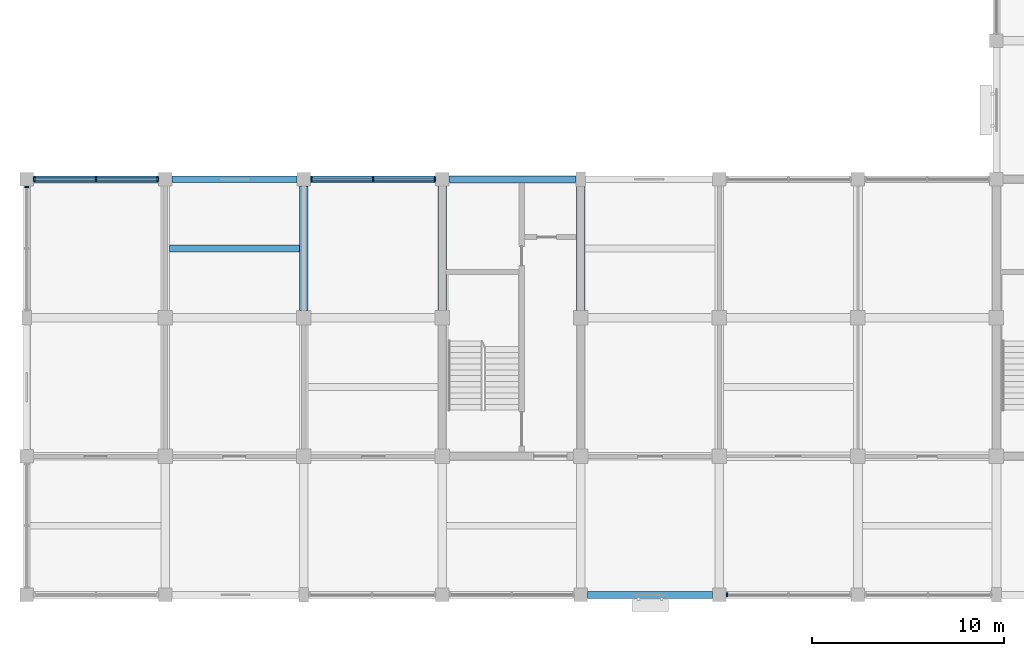
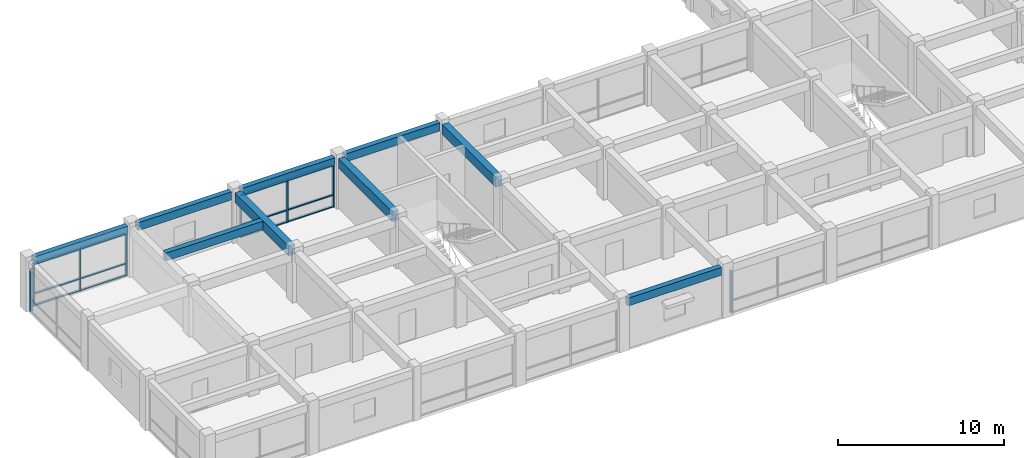
# One storey, part 3 of 25: 20 members, 9 beams, 4 elements without a shape of their own.
"""IFC4 building model written with IfcOpenShell, lengths in metres."""

import ifcopenshell
import ifcopenshell.guid

model = None  # the IFC model being written
_history = None  # IfcOwnerHistory: only IFC2X3 demands one
_inside = {}  # id of a spatial element -> (the spatial element, [elements in it])
_under = {}  # id of a project, library or spatial element -> (it, [spatial elements below it])
_declared = {}  # id of a project -> (the project, [libraries it declares])
_typed = {}  # id of a type object -> (the type object, [elements of that type])
_made_of = {}  # id of a material, layer set ... -> (it, [elements and type objects made of it])


def new_model(schema):
    """Start an empty IFC model of exactly this schema.

    Asked for "IFC4X3", IfcOpenShell would pick the latest addendum, in which some entities
    have other attributes; the version numbers below select the first issue.
    IFC2X3 requires an IfcOwnerHistory on every rooted entity: one is made here for all.
    """
    global model, _history
    if schema == "IFC4X3":
        model = ifcopenshell.file(schema_version=(4, 3, 0, 0))
    else:
        model = ifcopenshell.file(schema=schema)
    _inside.clear()
    _under.clear()
    _declared.clear()
    _typed.clear()
    _made_of.clear()
    _history = None
    if model.schema == "IFC2X3":
        org = make("IfcOrganization", Name="unknown")
        user = make(
            "IfcPersonAndOrganization",
            ThePerson=make("IfcPerson", FamilyName="unknown"),
            TheOrganization=org,
        )
        app = make(
            "IfcApplication",
            ApplicationDeveloper=org,
            Version="unknown",
            ApplicationFullName="unknown",
            ApplicationIdentifier="unknown",
        )
        _history = make(
            "IfcOwnerHistory",
            OwningUser=user,
            OwningApplication=app,
            ChangeAction="ADDED",
            CreationDate=0,
        )
    return model


def make(cls, **values):
    """One entity of the class cls with the attributes given. An attribute that is None is left unset."""
    return model.create_entity(
        cls, **{name: value for name, value in values.items() if value is not None}
    )


def rooted(cls, **values):
    """An entity with a GlobalId (a new one), such as an element, a storey or a relation."""
    return make(cls, GlobalId=ifcopenshell.guid.new(), OwnerHistory=_history, **values)


def si_unit(unit_type, name, prefix=None):
    """IfcSIUnit, for example si_unit("LENGTHUNIT", "METRE", prefix="MILLI")."""
    return make("IfcSIUnit", UnitType=unit_type, Prefix=prefix, Name=name)


def assignment(units):
    """IfcUnitAssignment: the units of a project."""
    return None if units is None else make("IfcUnitAssignment", Units=units)


def point(xyz):
    """IfcCartesianPoint."""
    return None if xyz is None else make("IfcCartesianPoint", Coordinates=xyz)


def direction(xyz):
    """IfcDirection."""
    return None if xyz is None else make("IfcDirection", DirectionRatios=xyz)


def frame(location, z_axis=None, x_axis=None):
    """IfcAxis2Placement3D, a coordinate frame: its origin and axes. An axis left out is left unset."""
    return make(
        "IfcAxis2Placement3D",
        Location=point(location),
        Axis=direction(z_axis),
        RefDirection=direction(x_axis),
    )


def frame_2d(location, x_axis=None):
    """IfcAxis2Placement2D, a coordinate frame in the plane: its origin and x axis."""
    return make(
        "IfcAxis2Placement2D", Location=point(location), RefDirection=direction(x_axis)
    )


def origin():
    """The frame at (0, 0, 0) with its axes left unset."""
    return frame((0.0, 0.0, 0.0))


def origin_2d():
    """The frame at (0, 0) in the plane with its x axis left unset."""
    return frame_2d((0.0, 0.0))


def place(relative_to, where):
    """IfcLocalPlacement: puts the frame where relative to a parent placement (None: the world)."""
    return make(
        "IfcLocalPlacement", PlacementRelTo=relative_to, RelativePlacement=where
    )


def context(
    kind, dimensions, precision=None, world=None, true_north=None, identifier=None
):
    """IfcGeometricRepresentationContext, for example the 3D "Model" context."""
    return make(
        "IfcGeometricRepresentationContext",
        ContextIdentifier=identifier,
        ContextType=kind,
        CoordinateSpaceDimension=dimensions,
        Precision=precision,
        WorldCoordinateSystem=world,
        TrueNorth=true_north,
    )


def subcontext(parent, identifier, kind, view, scale=None):
    """IfcGeometricRepresentationSubContext, for example "Body" below "Model"."""
    return make(
        "IfcGeometricRepresentationSubContext",
        ContextIdentifier=identifier,
        ContextType=kind,
        ParentContext=parent,
        TargetScale=scale,
        TargetView=view,
    )


def project(units=None, contexts=None):
    """IfcProject with its units and contexts."""
    return rooted(
        "IfcProject",
        Name="project",
        RepresentationContexts=contexts,
        UnitsInContext=assignment(units),
    )


def spatial(cls, under=None, at=None, **own):
    """A site, building, storey or space (cls), placed at a placement, below another one or the project."""
    s = rooted(cls, ObjectPlacement=at, **own)
    if under is not None:
        _under.setdefault(under.id(), (under, []))[1].append(s)
    return s


def profile(cls, at=None, kind="AREA", **sizes):
    """A parametric profile (cls). Its sizes go by their IFC names, for example OverallWidth=200.0."""
    return make(cls, ProfileType=kind, Position=at, **sizes)


def rectangle(**sizes):
    """IfcRectangleProfileDef."""
    return profile("IfcRectangleProfileDef", **sizes)


def extrude(swept, where, along, depth):
    """IfcExtrudedAreaSolid: the profile swept, set in the frame where, extruded along a direction by depth."""
    return make(
        "IfcExtrudedAreaSolid",
        SweptArea=swept,
        Position=where,
        ExtrudedDirection=direction(along),
        Depth=depth,
    )


def shape(context_of_items, identifier, shape_type, items):
    """IfcShapeRepresentation: the items that make up one representation, for example the "Body"."""
    return make(
        "IfcShapeRepresentation",
        ContextOfItems=context_of_items,
        RepresentationIdentifier=identifier,
        RepresentationType=shape_type,
        Items=items,
    )


def material(Name=None, Category=None):
    """IfcMaterial."""
    return make("IfcMaterial", Name=Name, Category=Category)


def layer(
    of_material, thickness, ventilated=None, Name=None, Category=None, Priority=None
):
    """IfcMaterialLayer: one layer of a wall or slab, of a material (None: an air gap)."""
    return make(
        "IfcMaterialLayer",
        Material=of_material,
        LayerThickness=thickness,
        IsVentilated=ventilated,
        Name=Name,
        Category=Category,
        Priority=Priority,
    )


def layer_set(layers, Name=None):
    """IfcMaterialLayerSet."""
    return make("IfcMaterialLayerSet", MaterialLayers=layers, LayerSetName=Name)


def material_profile(
    of_material, cross_section, Name=None, Category=None, Priority=None
):
    """IfcMaterialProfile: a cross section and its material."""
    return make(
        "IfcMaterialProfile",
        Name=Name,
        Material=of_material,
        Profile=cross_section,
        Priority=Priority,
        Category=Category,
    )


def profile_set(profiles, Name=None, composite=None):
    """IfcMaterialProfileSet."""
    return make(
        "IfcMaterialProfileSet",
        Name=Name,
        MaterialProfiles=profiles,
        CompositeProfile=composite,
    )


def made_of(thing, what):
    """Note that an element or type object is made of a material, layer set ...; save() writes the relation."""
    if what is not None:
        _made_of.setdefault(what.id(), (what, []))[1].append(thing)
    return thing


def type_object(cls, material=None, **own):
    """A type object (cls), such as IfcWallType, which elements share."""
    return made_of(rooted(cls, **own), material)


def element(
    cls,
    number,
    at=None,
    inside=None,
    cuts=None,
    type_object=None,
    material=None,
    context=None,
    identifier="Body",
    shape_type=None,
    held_by="IfcProductDefinitionShape",
    body=None,
    shapes=None,
    **own,
):
    """One element of the class cls, such as IfcWall. Its Tag is "e" and its number.

    at: its placement. inside: the storey or other place that contains it. cuts: it is an
    opening in that element (IfcRelVoidsElement). A single representation is given by context,
    identifier, shape_type and body (its items); several are given by shapes. held_by: the class
    of the entity that holds the representations. save() writes the other relations.
    """
    e = rooted(cls, Tag="e%d" % number, ObjectPlacement=at, **own)
    if body is not None:
        shapes = [shape(context, identifier, shape_type, body)]
    if shapes is not None:
        e.Representation = make(held_by, Representations=shapes)
    if inside is not None:
        _inside.setdefault(inside.id(), (inside, []))[1].append(e)
    if cuts is not None:
        rooted(
            "IfcRelVoidsElement", RelatingBuildingElement=cuts, RelatedOpeningElement=e
        )
    if type_object is not None:
        _typed.setdefault(type_object.id(), (type_object, []))[1].append(e)
    return made_of(e, material)


def aggregate(whole, parts):
    """IfcRelAggregates: a whole, such as a stair, and the parts it consists of."""
    return rooted("IfcRelAggregates", RelatingObject=whole, RelatedObjects=parts)


def save(model, path):
    """Write the relations noted so far, then the file.

    IfcRelAggregates (storeys below a building ...), IfcRelContainedInSpatialStructure (elements
    in a storey), IfcRelDefinesByType, IfcRelAssociatesMaterial and IfcRelDeclares: one each for
    every whole, place, type object, material and project.
    """
    for whole, parts in _under.values():
        aggregate(whole, parts)
    for where, things in _inside.values():
        rooted(
            "IfcRelContainedInSpatialStructure",
            RelatedElements=things,
            RelatingStructure=where,
        )
    for kind, things in _typed.values():
        rooted("IfcRelDefinesByType", RelatedObjects=things, RelatingType=kind)
    for what, things in _made_of.values():
        rooted("IfcRelAssociatesMaterial", RelatedObjects=things, RelatingMaterial=what)
    for by, libraries in _declared.values():
        rooted("IfcRelDeclares", RelatingContext=by, RelatedDefinitions=libraries)
    model.write(path)


model = new_model("IFC4")

# Units and contexts
model_context = context("Model", 3, precision=1e-05, world=origin(), true_north=direction((0.0, 1.0)))
body_context = subcontext(model_context, "Body", "Model", "MODEL_VIEW")
ifc_project = project(units=[si_unit("LENGTHUNIT", "METRE"), si_unit("AREAUNIT", "SQUARE_METRE"), si_unit("VOLUMEUNIT", "CUBIC_METRE"), si_unit("PLANEANGLEUNIT", "RADIAN"), si_unit("MASSUNIT", "GRAM", prefix="KILO")], contexts=[model_context])

# Site, building, storey
site_placement = place(None, origin())
site = spatial("IfcSite", under=ifc_project, at=site_placement, CompositionType="ELEMENT")
building_placement = place(site_placement, origin())
building = spatial("IfcBuilding", under=site, at=building_placement, Name="Cendaluz Park School", CompositionType="ELEMENT")
storey_placement = place(building_placement, frame((0.0, 0.0, 18.60009765625)))
storey = spatial("IfcBuildingStorey", under=building, at=storey_placement, Name="L04", CompositionType="ELEMENT", Elevation=18.60009765625)

# Beams
ifc_material_1 = material(Name="Concrete C40/50", Category="concrete")
ifc_material_profile_1 = material_profile(ifc_material_1, rectangle(XDim=0.449951171875, YDim=0.719970703125, at=origin_2d()), Name="RC 450x720", Category="concrete")
ifc_profile_set_1 = profile_set([ifc_material_profile_1], Name="Concrete C40/50")
beam_type_1 = type_object("IfcBeamType", Name="BM-RC02", PredefinedType="BEAM", material=ifc_profile_set_1)
for number, where, z_axis, x_axis, name in (
    (1, (28.800048828125, 21.97509765625, 3.329833984375), (0.0, 1.0, 0.0), (-1.0, 0.0, 0.0), "BM-L04-BMRC02-0119"),
    (2, (36.0, 21.97509765625, 3.329833984375), (0.0, 1.0, 0.0), (-1.0, 0.0, 0.0), "BM-L04-BMRC02-0122"),
):
    element("IfcBeam", number, at=place(storey_placement, frame(where, z_axis=z_axis, x_axis=x_axis)), inside=storey, type_object=beam_type_1, Name=name, PredefinedType="BEAM", context=body_context, shape_type="SweptSolid", body=[
        extrude(rectangle(XDim=0.449951171875, YDim=0.719970703125, at=origin_2d()), origin(), (0.0, 0.0, 1.0), 6.474853515625),
    ])
beam_1_placement = place(storey_placement, frame((43.199951171875, 21.97509765625, 3.329833984375), z_axis=(0.0, 1.0, 0.0), x_axis=(-1.0, 0.0, 0.0)))
element("IfcBeam", 3, at=beam_1_placement, inside=storey, type_object=beam_type_1, Name="BM-L04-BMRC02-0125", PredefinedType="BEAM", context=body_context, shape_type="SweptSolid", body=[
    extrude(rectangle(XDim=0.449951171875, YDim=0.719970703125, at=origin_2d()), origin(), (0.0, 0.0, 1.0), 6.449951171875),
])
ifc_material_profile_2 = material_profile(ifc_material_1, rectangle(XDim=0.35009765625, YDim=0.580078125, at=origin_2d()), Name="RC 350x580", Category="concrete")
ifc_profile_set_2 = profile_set([ifc_material_profile_2], Name="Concrete C40/50")
beam_type_2 = type_object("IfcBeamType", Name="BM-RC04", PredefinedType="LINTEL", material=ifc_profile_set_2)
for number, where, z_axis, x_axis, name in (
    (4, (14.75, 28.800048828125, 3.39990234375), (1.0, 0.0, 0.0), (0.0, 1.0, 0.0), "BM-L04-BMRC04-0004"),
    (5, (21.949951171875, 28.800048828125, 3.39990234375), (1.0, 0.0, 0.0), (0.0, 1.0, 0.0), "BM-L04-BMRC04-0008"),
    (6, (29.14990234375, 28.800048828125, 3.39990234375), (1.0, 0.0, 0.0), (0.0, 1.0, 0.0), "BM-L04-BMRC04-0012"),
):
    element("IfcBeam", number, at=place(storey_placement, frame(where, z_axis=z_axis, x_axis=x_axis)), inside=storey, type_object=beam_type_2, Name=name, PredefinedType="LINTEL", context=body_context, shape_type="SweptSolid", body=[
        extrude(rectangle(XDim=0.35009765625, YDim=0.580078125, at=origin_2d()), origin(), (0.0, 0.0, 1.0), 6.5),
    ])
beam_2_placement = place(storey_placement, frame((36.35009765625, 28.800048828125, 3.39990234375), z_axis=(1.0, 0.0, 0.0), x_axis=(0.0, 1.0, 0.0)))
element("IfcBeam", 7, at=beam_2_placement, inside=storey, type_object=beam_type_2, Name="BM-L04-BMRC04-0015", PredefinedType="LINTEL", context=body_context, shape_type="SweptSolid", body=[
    extrude(rectangle(XDim=0.35009765625, YDim=0.580078125, at=origin_2d()), origin(), (0.0, 0.0, 1.0), 6.599853515625),
])
beam_3_placement = place(storey_placement, frame((43.550048828125, 7.199951171875, 3.39990234375), z_axis=(1.0, 0.0, 0.0), x_axis=(0.0, 1.0, 0.0)))
element("IfcBeam", 8, at=beam_3_placement, inside=storey, type_object=beam_type_2, Name="BM-L04-BMRC04-0016", PredefinedType="LINTEL", context=body_context, shape_type="SweptSolid", body=[
    extrude(rectangle(XDim=0.35009765625, YDim=0.580078125, at=origin_2d()), origin(), (0.0, 0.0, 1.0), 6.5),
])

# Curtain wall, members
ifc_material_2 = material(Name="Anodised Aluminium 6063-T6", Category="aluminium")
ifc_layer = layer(ifc_material_2, 0.179931640625)
ifc_layer_set = layer_set([ifc_layer], Name="Anodised Aluminium 6063-T6")
curtain_wall_type = type_object("IfcCurtainWallType", Name="CW-130x62", PredefinedType="NOTDEFINED", material=ifc_layer_set)
curtain_wall_1_placement = place(storey_placement, origin())
curtain_wall_1 = element("IfcCurtainWall", 9, at=curtain_wall_1_placement, inside=storey, type_object=curtain_wall_type, Name="CW-L04-163", PredefinedType="NOTDEFINED")
ifc_material_profile_3 = material_profile(ifc_material_2, rectangle(XDim=0.199951171875, YDim=0.080078125, at=origin_2d()), Name="CWM 200x80", Category="aluminium")
ifc_profile_set_3 = profile_set([ifc_material_profile_3], Name="Anodised Aluminium 6063-T6")
member_type_1 = type_object("IfcMemberType", Name="CWM-02", PredefinedType="MULLION", material=ifc_profile_set_3)
member_1_placement = place(storey_placement, frame((14.7900390625, 28.800048828125, 0.0), z_axis=(0.0, 0.0, 1.0), x_axis=(0.0, 1.0, 0.0)))
member_1 = element("IfcMember", 10, at=member_1_placement, type_object=member_type_1, Name="CP-L04-2107", PredefinedType="MULLION", context=body_context, shape_type="SweptSolid", body=[
    extrude(rectangle(XDim=0.199951171875, YDim=0.080078125, at=origin_2d()), origin(), (0.0, 0.0, 1.0), 3.10986328125),
])
member_2_placement = place(storey_placement, frame((18.0, 28.800048828125, 0.0), z_axis=(0.0, 0.0, 1.0), x_axis=(0.0, 1.0, 0.0)))
member_2 = element("IfcMember", 11, at=member_2_placement, type_object=member_type_1, Name="CP-L04-2108", PredefinedType="MULLION", context=body_context, shape_type="SweptSolid", body=[
    extrude(rectangle(XDim=0.199951171875, YDim=0.080078125, at=origin_2d()), origin(), (0.0, 0.0, 1.0), 3.10986328125),
])
member_3_placement = place(storey_placement, frame((21.2099609375, 28.800048828125, 0.0), z_axis=(0.0, 0.0, 1.0), x_axis=(0.0, 1.0, 0.0)))
member_3 = element("IfcMember", 12, at=member_3_placement, type_object=member_type_1, Name="CP-L04-2109", PredefinedType="MULLION", context=body_context, shape_type="SweptSolid", body=[
    extrude(rectangle(XDim=0.199951171875, YDim=0.080078125, at=origin_2d()), origin(), (0.0, 0.0, 1.0), 3.10986328125),
])

# Curtain wall, member
curtain_wall_2_placement = place(storey_placement, origin())
curtain_wall_2 = element("IfcCurtainWall", 13, at=curtain_wall_2_placement, inside=storey, type_object=curtain_wall_type, Name="CW-L04-164", PredefinedType="NOTDEFINED")
member_4_placement = place(storey_placement, frame((14.39990234375, 28.409912109375, 0.0), z_axis=(0.0, 0.0, 1.0), x_axis=(-1.0, 0.0, 0.0)))
member_4 = element("IfcMember", 14, at=member_4_placement, type_object=member_type_1, Name="CP-L04-2122", PredefinedType="MULLION", context=body_context, shape_type="SweptSolid", body=[
    extrude(rectangle(XDim=0.199951171875, YDim=0.080078125, at=origin_2d()), origin(), (0.0, 0.0, 1.0), 3.10986328125),
])
aggregate(curtain_wall_2, [member_4])

# Curtain wall, members
curtain_wall_3_placement = place(storey_placement, origin())
curtain_wall_3 = element("IfcCurtainWall", 15, at=curtain_wall_3_placement, inside=storey, type_object=curtain_wall_type, Name="CW-L04-166", PredefinedType="NOTDEFINED")
member_5_placement = place(storey_placement, frame((29.18994140625, 28.800048828125, 0.0), z_axis=(0.0, 0.0, 1.0), x_axis=(0.0, 1.0, 0.0)))
member_5 = element("IfcMember", 16, at=member_5_placement, type_object=member_type_1, Name="CP-L04-2146", PredefinedType="MULLION", context=body_context, shape_type="SweptSolid", body=[
    extrude(rectangle(XDim=0.199951171875, YDim=0.080078125, at=origin_2d()), origin(), (0.0, 0.0, 1.0), 3.10986328125),
])
member_6_placement = place(storey_placement, frame((32.39990234375, 28.800048828125, 0.0), z_axis=(0.0, 0.0, 1.0), x_axis=(0.0, 1.0, 0.0)))
member_6 = element("IfcMember", 17, at=member_6_placement, type_object=member_type_1, Name="CP-L04-2147", PredefinedType="MULLION", context=body_context, shape_type="SweptSolid", body=[
    extrude(rectangle(XDim=0.199951171875, YDim=0.080078125, at=origin_2d()), origin(), (0.0, 0.0, 1.0), 3.10986328125),
])
member_7_placement = place(storey_placement, frame((35.610107421875, 28.800048828125, 0.0), z_axis=(0.0, 0.0, 1.0), x_axis=(0.0, 1.0, 0.0)))
member_7 = element("IfcMember", 18, at=member_7_placement, type_object=member_type_1, Name="CP-L04-2148", PredefinedType="MULLION", context=body_context, shape_type="SweptSolid", body=[
    extrude(rectangle(XDim=0.199951171875, YDim=0.080078125, at=origin_2d()), origin(), (0.0, 0.0, 1.0), 3.10986328125),
])

# Curtain wall, member
curtain_wall_4_placement = place(storey_placement, origin())
curtain_wall_4 = element("IfcCurtainWall", 19, at=curtain_wall_4_placement, inside=storey, type_object=curtain_wall_type, Name="CW-L04-168", PredefinedType="NOTDEFINED")
member_8_placement = place(storey_placement, frame((50.7900390625, 7.199951171875, 0.0), z_axis=(0.0, 0.0, 1.0), x_axis=(0.0, 1.0, 0.0)))
member_8 = element("IfcMember", 20, at=member_8_placement, type_object=member_type_1, Name="CP-L04-2172", PredefinedType="MULLION", context=body_context, shape_type="SweptSolid", body=[
    extrude(rectangle(XDim=0.199951171875, YDim=0.080078125, at=origin_2d()), origin(), (0.0, 0.0, 1.0), 3.10986328125),
])
aggregate(curtain_wall_4, [member_8])

# Member
ifc_material_profile_4 = material_profile(ifc_material_2, rectangle(XDim=0.14990234375, YDim=0.080078125, at=origin_2d()), Name="CWT 150x80", Category="aluminium")
ifc_profile_set_4 = profile_set([ifc_material_profile_4], Name="Anodised Aluminium 6063-T6")
member_type_2 = type_object("IfcMemberType", Name="CWT-02", PredefinedType="USERDEFINED", material=ifc_profile_set_4)
member_9_placement = place(storey_placement, frame((14.830078125, 28.800048828125, 0.039794921875), z_axis=(1.0, 0.0, 0.0), x_axis=(0.0, 1.0, 0.0)))
member_9 = element("IfcMember", 21, at=member_9_placement, type_object=member_type_2, Name="CP-L04-2110", ObjectType="TRANSOM", PredefinedType="USERDEFINED", context=body_context, shape_type="SweptSolid", body=[
    extrude(rectangle(XDim=0.14990234375, YDim=0.080078125, at=origin_2d()), origin(), (0.0, 0.0, 1.0), 3.1298828125),
])

member_10_placement = place(storey_placement, frame((14.830078125, 28.800048828125, 0.89990234375), z_axis=(1.0, 0.0, 0.0), x_axis=(0.0, 1.0, 0.0)))
member_10 = element("IfcMember", 22, at=member_10_placement, type_object=member_type_2, Name="CP-L04-2111", ObjectType="TRANSOM", PredefinedType="USERDEFINED", context=body_context, shape_type="SweptSolid", body=[
    extrude(rectangle(XDim=0.14990234375, YDim=0.080078125, at=origin_2d()), origin(), (0.0, 0.0, 1.0), 3.1298828125),
])

member_11_placement = place(storey_placement, frame((14.830078125, 28.800048828125, 3.06982421875), z_axis=(1.0, 0.0, 0.0), x_axis=(0.0, 1.0, 0.0)))
member_11 = element("IfcMember", 23, at=member_11_placement, type_object=member_type_2, Name="CP-L04-2112", ObjectType="TRANSOM", PredefinedType="USERDEFINED", context=body_context, shape_type="SweptSolid", body=[
    extrude(rectangle(XDim=0.14990234375, YDim=0.080078125, at=origin_2d()), origin(), (0.0, 0.0, 1.0), 3.1298828125),
])

member_12_placement = place(storey_placement, frame((18.0400390625, 28.800048828125, 0.039794921875), z_axis=(1.0, 0.0, 0.0), x_axis=(0.0, 1.0, 0.0)))
member_12 = element("IfcMember", 24, at=member_12_placement, type_object=member_type_2, Name="CP-L04-2115", ObjectType="TRANSOM", PredefinedType="USERDEFINED", context=body_context, shape_type="SweptSolid", body=[
    extrude(rectangle(XDim=0.14990234375, YDim=0.080078125, at=origin_2d()), origin(), (0.0, 0.0, 1.0), 3.1298828125),
])

member_13_placement = place(storey_placement, frame((18.0400390625, 28.800048828125, 0.89990234375), z_axis=(1.0, 0.0, 0.0), x_axis=(0.0, 1.0, 0.0)))
member_13 = element("IfcMember", 25, at=member_13_placement, type_object=member_type_2, Name="CP-L04-2116", ObjectType="TRANSOM", PredefinedType="USERDEFINED", context=body_context, shape_type="SweptSolid", body=[
    extrude(rectangle(XDim=0.14990234375, YDim=0.080078125, at=origin_2d()), origin(), (0.0, 0.0, 1.0), 3.1298828125),
])

member_14_placement = place(storey_placement, frame((18.0400390625, 28.800048828125, 3.06982421875), z_axis=(1.0, 0.0, 0.0), x_axis=(0.0, 1.0, 0.0)))
member_14 = element("IfcMember", 26, at=member_14_placement, type_object=member_type_2, Name="CP-L04-2117", ObjectType="TRANSOM", PredefinedType="USERDEFINED", context=body_context, shape_type="SweptSolid", body=[
    extrude(rectangle(XDim=0.14990234375, YDim=0.080078125, at=origin_2d()), origin(), (0.0, 0.0, 1.0), 3.1298828125),
])

aggregate(curtain_wall_1, [member_1, member_2, member_3, member_9, member_10, member_11, member_12, member_13, member_14])

member_15_placement = place(storey_placement, frame((29.22998046875, 28.800048828125, 0.039794921875), z_axis=(1.0, 0.0, 0.0), x_axis=(0.0, 1.0, 0.0)))
member_15 = element("IfcMember", 27, at=member_15_placement, type_object=member_type_2, Name="CP-L04-2149", ObjectType="TRANSOM", PredefinedType="USERDEFINED", context=body_context, shape_type="SweptSolid", body=[
    extrude(rectangle(XDim=0.14990234375, YDim=0.080078125, at=origin_2d()), origin(), (0.0, 0.0, 1.0), 3.130126953125),
])

member_16_placement = place(storey_placement, frame((29.22998046875, 28.800048828125, 0.89990234375), z_axis=(1.0, 0.0, 0.0), x_axis=(0.0, 1.0, 0.0)))
member_16 = element("IfcMember", 28, at=member_16_placement, type_object=member_type_2, Name="CP-L04-2150", ObjectType="TRANSOM", PredefinedType="USERDEFINED", context=body_context, shape_type="SweptSolid", body=[
    extrude(rectangle(XDim=0.14990234375, YDim=0.080078125, at=origin_2d()), origin(), (0.0, 0.0, 1.0), 3.130126953125),
])

member_17_placement = place(storey_placement, frame((29.22998046875, 28.800048828125, 3.06982421875), z_axis=(1.0, 0.0, 0.0), x_axis=(0.0, 1.0, 0.0)))
member_17 = element("IfcMember", 29, at=member_17_placement, type_object=member_type_2, Name="CP-L04-2151", ObjectType="TRANSOM", PredefinedType="USERDEFINED", context=body_context, shape_type="SweptSolid", body=[
    extrude(rectangle(XDim=0.14990234375, YDim=0.080078125, at=origin_2d()), origin(), (0.0, 0.0, 1.0), 3.130126953125),
])

member_18_placement = place(storey_placement, frame((32.43994140625, 28.800048828125, 0.039794921875), z_axis=(1.0, 0.0, 0.0), x_axis=(0.0, 1.0, 0.0)))
member_18 = element("IfcMember", 30, at=member_18_placement, type_object=member_type_2, Name="CP-L04-2154", ObjectType="TRANSOM", PredefinedType="USERDEFINED", context=body_context, shape_type="SweptSolid", body=[
    extrude(rectangle(XDim=0.14990234375, YDim=0.080078125, at=origin_2d()), origin(), (0.0, 0.0, 1.0), 3.130126953125),
])

member_19_placement = place(storey_placement, frame((32.43994140625, 28.800048828125, 0.89990234375), z_axis=(1.0, 0.0, 0.0), x_axis=(0.0, 1.0, 0.0)))
member_19 = element("IfcMember", 31, at=member_19_placement, type_object=member_type_2, Name="CP-L04-2155", ObjectType="TRANSOM", PredefinedType="USERDEFINED", context=body_context, shape_type="SweptSolid", body=[
    extrude(rectangle(XDim=0.14990234375, YDim=0.080078125, at=origin_2d()), origin(), (0.0, 0.0, 1.0), 3.130126953125),
])

member_20_placement = place(storey_placement, frame((32.43994140625, 28.800048828125, 3.06982421875), z_axis=(1.0, 0.0, 0.0), x_axis=(0.0, 1.0, 0.0)))
member_20 = element("IfcMember", 32, at=member_20_placement, type_object=member_type_2, Name="CP-L04-2156", ObjectType="TRANSOM", PredefinedType="USERDEFINED", context=body_context, shape_type="SweptSolid", body=[
    extrude(rectangle(XDim=0.14990234375, YDim=0.080078125, at=origin_2d()), origin(), (0.0, 0.0, 1.0), 3.130126953125),
])

aggregate(curtain_wall_3, [member_5, member_6, member_7, member_15, member_16, member_17, member_18, member_19, member_20])

# Beam
ifc_material_profile_5 = material_profile(ifc_material_1, rectangle(XDim=0.35009765625, YDim=0.580078125, at=origin_2d()), Name="RC 350x580", Category="concrete")
ifc_profile_set_5 = profile_set([ifc_material_profile_5], Name="Concrete C40/50")
beam_type_3 = type_object("IfcBeamType", Name="JT-RC01", PredefinedType="JOIST", material=ifc_profile_set_5)
beam_4_placement = place(storey_placement, frame((21.824951171875, 25.199951171875, 3.39990234375), z_axis=(1.0, 0.0, 0.0), x_axis=(0.0, 1.0, 0.0)))
element("IfcBeam", 33, at=beam_4_placement, inside=storey, type_object=beam_type_3, Name="BM-L04-JTRC01-0217", PredefinedType="JOIST", context=body_context, shape_type="SweptSolid", body=[
    extrude(rectangle(XDim=0.35009765625, YDim=0.580078125, at=origin_2d()), origin(), (0.0, 0.0, 1.0), 6.75),
])

save(model, "model.ifc")
